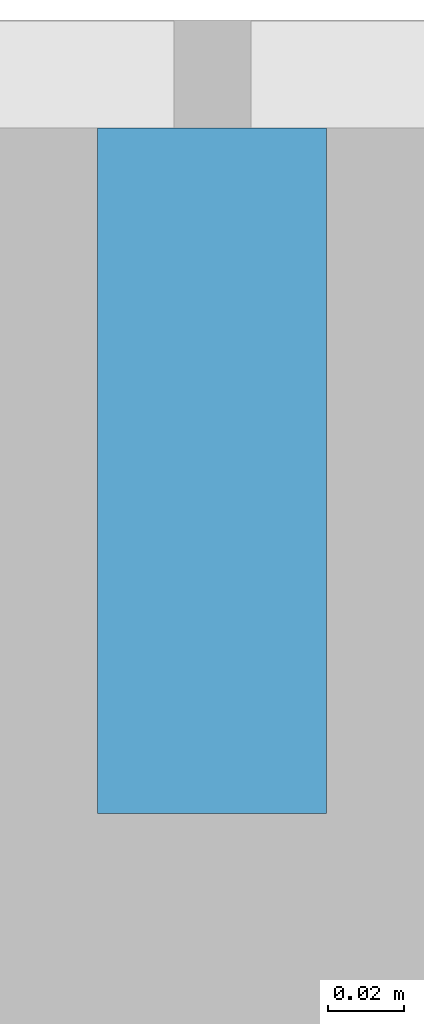
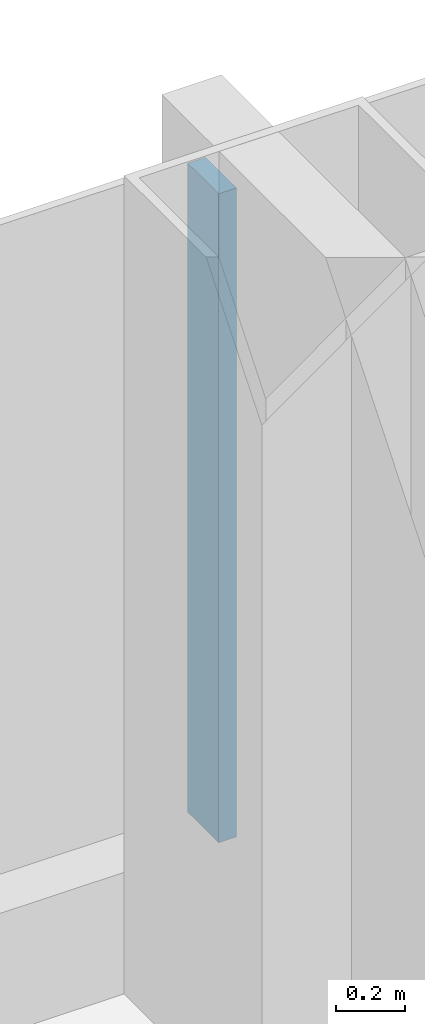
# One storey, part 10 of 29: 1 member, 1 element without a shape of its own.
"""IFC4 building model written with IfcOpenShell, lengths in metres."""

import ifcopenshell
import ifcopenshell.guid

model = None  # the IFC model being written
_history = None  # IfcOwnerHistory: only IFC2X3 demands one
_inside = {}  # id of a spatial element -> (the spatial element, [elements in it])
_under = {}  # id of a project, library or spatial element -> (it, [spatial elements below it])
_declared = {}  # id of a project -> (the project, [libraries it declares])
_typed = {}  # id of a type object -> (the type object, [elements of that type])
_made_of = {}  # id of a material, layer set ... -> (it, [elements and type objects made of it])


def new_model(schema):
    """Start an empty IFC model of exactly this schema.

    Asked for "IFC4X3", IfcOpenShell would pick the latest addendum, in which some entities
    have other attributes; the version numbers below select the first issue.
    IFC2X3 requires an IfcOwnerHistory on every rooted entity: one is made here for all.
    """
    global model, _history
    if schema == "IFC4X3":
        model = ifcopenshell.file(schema_version=(4, 3, 0, 0))
    else:
        model = ifcopenshell.file(schema=schema)
    _inside.clear()
    _under.clear()
    _declared.clear()
    _typed.clear()
    _made_of.clear()
    _history = None
    if model.schema == "IFC2X3":
        org = make("IfcOrganization", Name="unknown")
        user = make(
            "IfcPersonAndOrganization",
            ThePerson=make("IfcPerson", FamilyName="unknown"),
            TheOrganization=org,
        )
        app = make(
            "IfcApplication",
            ApplicationDeveloper=org,
            Version="unknown",
            ApplicationFullName="unknown",
            ApplicationIdentifier="unknown",
        )
        _history = make(
            "IfcOwnerHistory",
            OwningUser=user,
            OwningApplication=app,
            ChangeAction="ADDED",
            CreationDate=0,
        )
    return model


def make(cls, **values):
    """One entity of the class cls with the attributes given. An attribute that is None is left unset."""
    return model.create_entity(
        cls, **{name: value for name, value in values.items() if value is not None}
    )


def rooted(cls, **values):
    """An entity with a GlobalId (a new one), such as an element, a storey or a relation."""
    return make(cls, GlobalId=ifcopenshell.guid.new(), OwnerHistory=_history, **values)


def si_unit(unit_type, name, prefix=None):
    """IfcSIUnit, for example si_unit("LENGTHUNIT", "METRE", prefix="MILLI")."""
    return make("IfcSIUnit", UnitType=unit_type, Prefix=prefix, Name=name)


def assignment(units):
    """IfcUnitAssignment: the units of a project."""
    return None if units is None else make("IfcUnitAssignment", Units=units)


def point(xyz):
    """IfcCartesianPoint."""
    return None if xyz is None else make("IfcCartesianPoint", Coordinates=xyz)


def direction(xyz):
    """IfcDirection."""
    return None if xyz is None else make("IfcDirection", DirectionRatios=xyz)


def frame(location, z_axis=None, x_axis=None):
    """IfcAxis2Placement3D, a coordinate frame: its origin and axes. An axis left out is left unset."""
    return make(
        "IfcAxis2Placement3D",
        Location=point(location),
        Axis=direction(z_axis),
        RefDirection=direction(x_axis),
    )


def frame_2d(location, x_axis=None):
    """IfcAxis2Placement2D, a coordinate frame in the plane: its origin and x axis."""
    return make(
        "IfcAxis2Placement2D", Location=point(location), RefDirection=direction(x_axis)
    )


def origin():
    """The frame at (0, 0, 0) with its axes left unset."""
    return frame((0.0, 0.0, 0.0))


def origin_2d():
    """The frame at (0, 0) in the plane with its x axis left unset."""
    return frame_2d((0.0, 0.0))


def place(relative_to, where):
    """IfcLocalPlacement: puts the frame where relative to a parent placement (None: the world)."""
    return make(
        "IfcLocalPlacement", PlacementRelTo=relative_to, RelativePlacement=where
    )


def context(
    kind, dimensions, precision=None, world=None, true_north=None, identifier=None
):
    """IfcGeometricRepresentationContext, for example the 3D "Model" context."""
    return make(
        "IfcGeometricRepresentationContext",
        ContextIdentifier=identifier,
        ContextType=kind,
        CoordinateSpaceDimension=dimensions,
        Precision=precision,
        WorldCoordinateSystem=world,
        TrueNorth=true_north,
    )


def subcontext(parent, identifier, kind, view, scale=None):
    """IfcGeometricRepresentationSubContext, for example "Body" below "Model"."""
    return make(
        "IfcGeometricRepresentationSubContext",
        ContextIdentifier=identifier,
        ContextType=kind,
        ParentContext=parent,
        TargetScale=scale,
        TargetView=view,
    )


def project(units=None, contexts=None):
    """IfcProject with its units and contexts."""
    return rooted(
        "IfcProject",
        Name="project",
        RepresentationContexts=contexts,
        UnitsInContext=assignment(units),
    )


def spatial(cls, under=None, at=None, **own):
    """A site, building, storey or space (cls), placed at a placement, below another one or the project."""
    s = rooted(cls, ObjectPlacement=at, **own)
    if under is not None:
        _under.setdefault(under.id(), (under, []))[1].append(s)
    return s


def profile(cls, at=None, kind="AREA", **sizes):
    """A parametric profile (cls). Its sizes go by their IFC names, for example OverallWidth=200.0."""
    return make(cls, ProfileType=kind, Position=at, **sizes)


def rectangle(**sizes):
    """IfcRectangleProfileDef."""
    return profile("IfcRectangleProfileDef", **sizes)


def extrude(swept, where, along, depth):
    """IfcExtrudedAreaSolid: the profile swept, set in the frame where, extruded along a direction by depth."""
    return make(
        "IfcExtrudedAreaSolid",
        SweptArea=swept,
        Position=where,
        ExtrudedDirection=direction(along),
        Depth=depth,
    )


def shape(context_of_items, identifier, shape_type, items):
    """IfcShapeRepresentation: the items that make up one representation, for example the "Body"."""
    return make(
        "IfcShapeRepresentation",
        ContextOfItems=context_of_items,
        RepresentationIdentifier=identifier,
        RepresentationType=shape_type,
        Items=items,
    )


def material(Name=None, Category=None):
    """IfcMaterial."""
    return make("IfcMaterial", Name=Name, Category=Category)


def layer(
    of_material, thickness, ventilated=None, Name=None, Category=None, Priority=None
):
    """IfcMaterialLayer: one layer of a wall or slab, of a material (None: an air gap)."""
    return make(
        "IfcMaterialLayer",
        Material=of_material,
        LayerThickness=thickness,
        IsVentilated=ventilated,
        Name=Name,
        Category=Category,
        Priority=Priority,
    )


def layer_set(layers, Name=None):
    """IfcMaterialLayerSet."""
    return make("IfcMaterialLayerSet", MaterialLayers=layers, LayerSetName=Name)


def material_profile(
    of_material, cross_section, Name=None, Category=None, Priority=None
):
    """IfcMaterialProfile: a cross section and its material."""
    return make(
        "IfcMaterialProfile",
        Name=Name,
        Material=of_material,
        Profile=cross_section,
        Priority=Priority,
        Category=Category,
    )


def profile_set(profiles, Name=None, composite=None):
    """IfcMaterialProfileSet."""
    return make(
        "IfcMaterialProfileSet",
        Name=Name,
        MaterialProfiles=profiles,
        CompositeProfile=composite,
    )


def made_of(thing, what):
    """Note that an element or type object is made of a material, layer set ...; save() writes the relation."""
    if what is not None:
        _made_of.setdefault(what.id(), (what, []))[1].append(thing)
    return thing


def type_object(cls, material=None, **own):
    """A type object (cls), such as IfcWallType, which elements share."""
    return made_of(rooted(cls, **own), material)


def element(
    cls,
    number,
    at=None,
    inside=None,
    cuts=None,
    type_object=None,
    material=None,
    context=None,
    identifier="Body",
    shape_type=None,
    held_by="IfcProductDefinitionShape",
    body=None,
    shapes=None,
    **own,
):
    """One element of the class cls, such as IfcWall. Its Tag is "e" and its number.

    at: its placement. inside: the storey or other place that contains it. cuts: it is an
    opening in that element (IfcRelVoidsElement). A single representation is given by context,
    identifier, shape_type and body (its items); several are given by shapes. held_by: the class
    of the entity that holds the representations. save() writes the other relations.
    """
    e = rooted(cls, Tag="e%d" % number, ObjectPlacement=at, **own)
    if body is not None:
        shapes = [shape(context, identifier, shape_type, body)]
    if shapes is not None:
        e.Representation = make(held_by, Representations=shapes)
    if inside is not None:
        _inside.setdefault(inside.id(), (inside, []))[1].append(e)
    if cuts is not None:
        rooted(
            "IfcRelVoidsElement", RelatingBuildingElement=cuts, RelatedOpeningElement=e
        )
    if type_object is not None:
        _typed.setdefault(type_object.id(), (type_object, []))[1].append(e)
    return made_of(e, material)


def aggregate(whole, parts):
    """IfcRelAggregates: a whole, such as a stair, and the parts it consists of."""
    return rooted("IfcRelAggregates", RelatingObject=whole, RelatedObjects=parts)


def save(model, path):
    """Write the relations noted so far, then the file.

    IfcRelAggregates (storeys below a building ...), IfcRelContainedInSpatialStructure (elements
    in a storey), IfcRelDefinesByType, IfcRelAssociatesMaterial and IfcRelDeclares: one each for
    every whole, place, type object, material and project.
    """
    for whole, parts in _under.values():
        aggregate(whole, parts)
    for where, things in _inside.values():
        rooted(
            "IfcRelContainedInSpatialStructure",
            RelatedElements=things,
            RelatingStructure=where,
        )
    for kind, things in _typed.values():
        rooted("IfcRelDefinesByType", RelatedObjects=things, RelatingType=kind)
    for what, things in _made_of.values():
        rooted("IfcRelAssociatesMaterial", RelatedObjects=things, RelatingMaterial=what)
    for by, libraries in _declared.values():
        rooted("IfcRelDeclares", RelatingContext=by, RelatedDefinitions=libraries)
    model.write(path)


model = new_model("IFC4")

# Units and contexts
model_context = context("Model", 3, precision=1e-05, world=origin(), true_north=direction((0.0, 1.0)))
body_context = subcontext(model_context, "Body", "Model", "MODEL_VIEW")
ifc_project = project(units=[si_unit("LENGTHUNIT", "METRE"), si_unit("AREAUNIT", "SQUARE_METRE"), si_unit("VOLUMEUNIT", "CUBIC_METRE"), si_unit("PLANEANGLEUNIT", "RADIAN"), si_unit("MASSUNIT", "GRAM", prefix="KILO")], contexts=[model_context])

# Site, building, storey
site_placement = place(None, origin())
site = spatial("IfcSite", under=ifc_project, at=site_placement, CompositionType="ELEMENT")
building_placement = place(site_placement, origin())
building = spatial("IfcBuilding", under=site, at=building_placement, Name="Hakoniwa Tower and Hamabe Station Hall", CompositionType="ELEMENT")
storey_placement = place(building_placement, frame((0.0, 0.0, 117.0)))
storey = spatial("IfcBuildingStorey", under=building, at=storey_placement, Name="L33", CompositionType="ELEMENT", Elevation=117.0)

# Curtain wall, member
ifc_material_1 = material(Name="Dark low-e laminated glass", Category="glass")
ifc_layer = layer(ifc_material_1, 0.199951171875)
ifc_layer_set = layer_set([ifc_layer], Name="CW-1 UNITISED GUEST")
curtain_wall_type = type_object("IfcCurtainWallType", Name="CW-1 UNITISED GUEST", PredefinedType="NOTDEFINED", material=ifc_layer_set)
curtain_wall_placement = place(storey_placement, origin())
curtain_wall = element("IfcCurtainWall", 1, at=curtain_wall_placement, inside=storey, type_object=curtain_wall_type, Name="CW-1 curtain wall", PredefinedType="NOTDEFINED")
ifc_material_2 = material(Name="Aluminium 6063-T5 black anodised", Category="aluminium")
ifc_material_profile = material_profile(ifc_material_2, rectangle(XDim=0.06005859375, YDim=0.179931640625, at=origin_2d()), Name="CW-1 MULLION 60X180")
ifc_profile_set = profile_set([ifc_material_profile], Name="Aluminium 6063-T5 black anodised")
member_type = type_object("IfcMemberType", Name="CW-1 MULLION 60X180", PredefinedType="MULLION", material=ifc_profile_set)
member_placement = place(storey_placement, frame((8.39990234375, 23.431884765625, 0.35009765625), z_axis=(0.0, 0.0, 1.0), x_axis=(-1.0, 0.0, 0.0)))
member = element("IfcMember", 2, at=member_placement, type_object=member_type, Name="CW-1 mullion", PredefinedType="MULLION", context=body_context, shape_type="SweptSolid", body=[
    extrude(rectangle(XDim=0.06005859375, YDim=0.179931640625, at=origin_2d()), origin(), (0.0, 0.0, 1.0), 2.2998046875),
])
aggregate(curtain_wall, [member])

save(model, "model.ifc")
